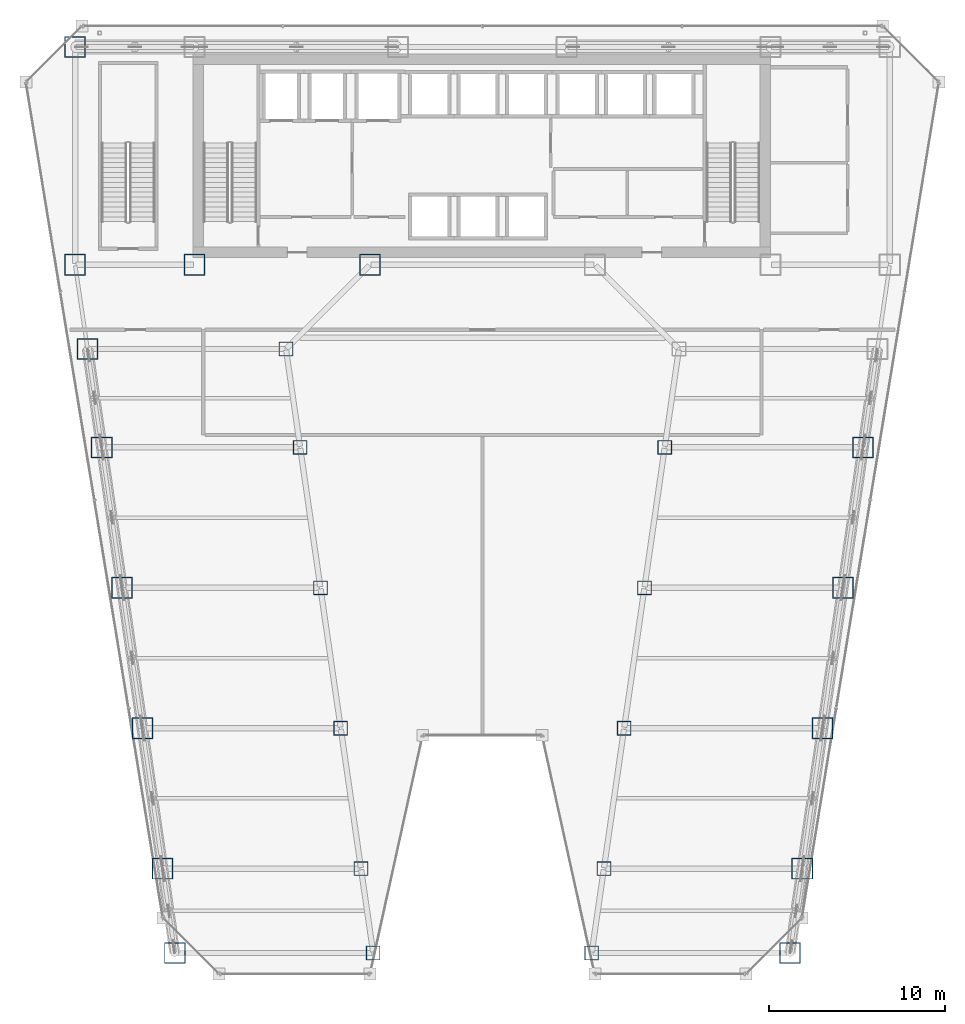
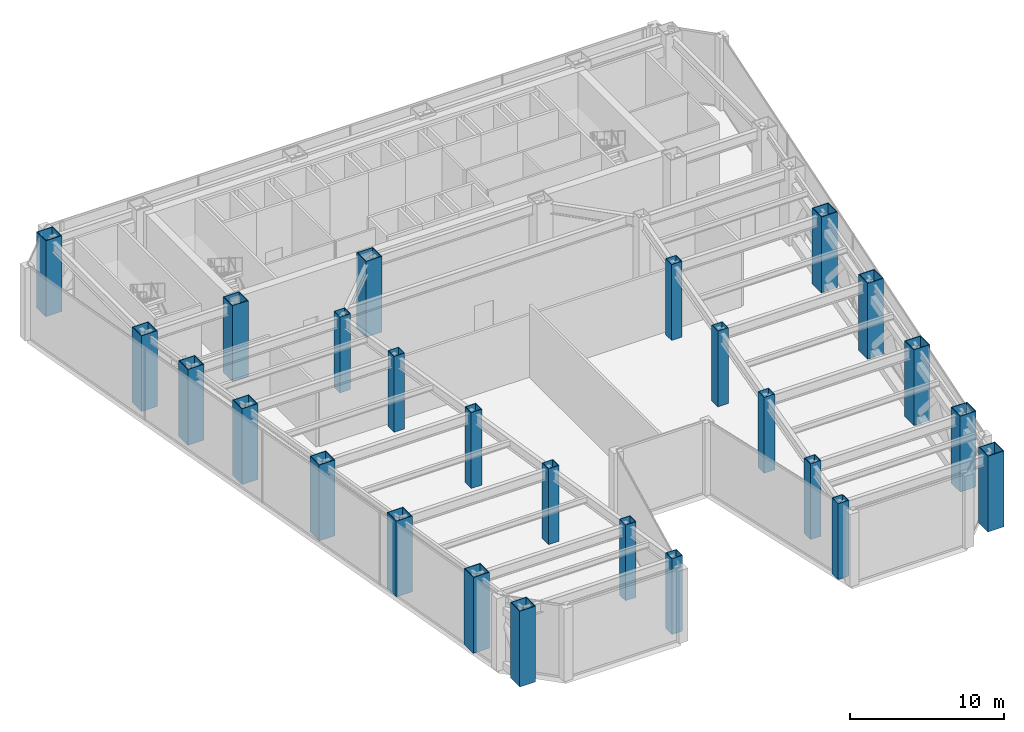
# One storey, part 1 of 35: 26 columns.
"""IFC4 building model written with IfcOpenShell, lengths in metres."""

from ifc_helpers import new_model, si_unit, direction, frame, origin, origin_2d, place, context, subcontext, project, spatial, hollow_rectangle, extrude, material, material_profile, profile_set, type_object, element, save


model = new_model("IFC4")

# Units and contexts
model_context = context("Model", 3, precision=1e-05, world=origin(), true_north=direction((0.0, 1.0)))
body_context = subcontext(model_context, "Body", "Model", "MODEL_VIEW")
ifc_project = project(units=[si_unit("LENGTHUNIT", "METRE"), si_unit("AREAUNIT", "SQUARE_METRE"), si_unit("VOLUMEUNIT", "CUBIC_METRE"), si_unit("PLANEANGLEUNIT", "RADIAN"), si_unit("MASSUNIT", "GRAM", prefix="KILO")], contexts=[model_context])

# Site, building, storey
site_placement = place(None, origin())
site = spatial("IfcSite", under=ifc_project, at=site_placement, CompositionType="ELEMENT")
building_placement = place(site_placement, origin())
building = spatial("IfcBuilding", under=site, at=building_placement, Name="Saevonmaru Cultural Tower", CompositionType="ELEMENT")
storey_placement = place(building_placement, frame((0.0, 0.0, 86.800048828125)))
storey = spatial("IfcBuildingStorey", under=building, at=storey_placement, Name="L18", CompositionType="ELEMENT", Elevation=86.800048828125)

# Columns
ifc_material_1 = material(Name="Steel HSA600 (600 MPa)", Category="steel")
ifc_material_profile_1 = material_profile(ifc_material_1, hollow_rectangle(XDim=1.199951171875, YDim=1.199951171875, WallThickness=0.054931640625, at=origin_2d()), Name="BOX-1200x1200x55")
ifc_profile_set_1 = profile_set([ifc_material_profile_1], Name="Steel HSA600 (600 MPa)")
column_type_1 = type_object("IfcColumnType", Name="COL-BOX-1200", PredefinedType="COLUMN", material=ifc_profile_set_1)
for number, where, z_axis, x_axis, name in (
    (1, (6.800048828125, 54.800048828125, 0.0), (0.0, 0.0, 1.0), (1.0, 0.0, 0.0), "L18 Column TC-N1N"),
    (2, (6.800048828125, 42.39990234375, 0.0), (0.0, 0.0, 1.0), (1.0, 0.0, 0.0), "L18 Column TC-S1C"),
    (3, (13.60009765625, 42.39990234375, 0.0), (0.0, 0.0, 1.0), (1.0, 0.0, 0.0), "L18 Column TC-S2C"),
    (4, (23.60009765625, 42.39990234375, 0.0), (0.0, 0.0, 1.0), (1.0, 0.0, 0.0), "L18 Column TC-S3C"),
    (5, (12.47705078125, 3.199951171875, 0.0), (0.0, 0.0, 1.0), (1.0, 0.0, 0.0), "L18 Column TC-WO-Y032"),
    (6, (47.52294921875, 3.199951171875, 0.0), (0.0, 0.0, 1.0), (1.0, 0.0, 0.0), "L18 Column TC-EO-Y032"),
    (7, (11.782958984375, 8.0, 0.0), (0.0, 0.0, 1.0), (1.0, 0.0, 0.0), "L18 Column TC-WO-Y080"),
    (8, (48.217041015625, 8.0, 0.0), (0.0, 0.0, 1.0), (1.0, 0.0, 0.0), "L18 Column TC-EO-Y080"),
    (9, (10.6279296875, 16.0, 0.0), (0.0, 0.0, 1.0), (1.0, 0.0, 0.0), "L18 Column TC-WO-Y160"),
    (10, (49.3720703125, 16.0, 0.0), (0.0, 0.0, 1.0), (1.0, 0.0, 0.0), "L18 Column TC-EO-Y160"),
    (11, (9.471923828125, 24.0, 0.0), (0.0, 0.0, 1.0), (1.0, 0.0, 0.0), "L18 Column TC-WO-Y240"),
    (12, (50.528076171875, 24.0, 0.0), (0.0, 0.0, 1.0), (1.0, 0.0, 0.0), "L18 Column TC-EO-Y240"),
    (13, (8.31689453125, 32.0, 0.0), (0.0, 0.0, 1.0), (1.0, 0.0, 0.0), "L18 Column TC-WO-Y320"),
    (14, (51.68310546875, 32.0, 0.0), (0.0, 0.0, 1.0), (1.0, 0.0, 0.0), "L18 Column TC-EO-Y320"),
    (15, (7.508056640625, 37.60009765625, 0.0), (0.0, 0.0, 1.0), (1.0, 0.0, 0.0), "L18 Column TC-WO-Y376"),
):
    element("IfcColumn", number, at=place(storey_placement, frame(where, z_axis=z_axis, x_axis=x_axis)), inside=storey, type_object=column_type_1, Name=name, PredefinedType="COLUMN", context=body_context, shape_type="SweptSolid", body=[
        extrude(hollow_rectangle(XDim=1.199951171875, YDim=1.199951171875, WallThickness=0.054931640625, at=origin_2d()), origin(), (0.0, 0.0, 1.0), 6.0),
    ])
ifc_material_2 = material(Name="Steel SM420", Category="steel")
ifc_material_profile_2 = material_profile(ifc_material_2, hollow_rectangle(XDim=0.800048828125, YDim=0.800048828125, WallThickness=0.035888671875, at=origin_2d()), Name="BOX-800x800x36")
ifc_profile_set_2 = profile_set([ifc_material_profile_2], Name="Steel SM420")
column_type_2 = type_object("IfcColumnType", Name="COL-BOX-800", PredefinedType="COLUMN", material=ifc_profile_set_2)
for number, where, z_axis, x_axis, name in (
    (16, (23.777099609375, 3.199951171875, 0.0), (0.0, 0.0, 1.0), (1.0, 0.0, 0.0), "L18 Column TC-WI-Y032"),
    (17, (36.222900390625, 3.199951171875, 0.0), (0.0, 0.0, 1.0), (1.0, 0.0, 0.0), "L18 Column TC-EI-Y032"),
    (18, (23.0830078125, 8.0, 0.0), (0.0, 0.0, 1.0), (1.0, 0.0, 0.0), "L18 Column TC-WI-Y080"),
    (19, (36.9169921875, 8.0, 0.0), (0.0, 0.0, 1.0), (1.0, 0.0, 0.0), "L18 Column TC-EI-Y080"),
    (20, (21.927978515625, 16.0, 0.0), (0.0, 0.0, 1.0), (1.0, 0.0, 0.0), "L18 Column TC-WI-Y160"),
    (21, (38.072021484375, 16.0, 0.0), (0.0, 0.0, 1.0), (1.0, 0.0, 0.0), "L18 Column TC-EI-Y160"),
    (22, (20.77197265625, 24.0, 0.0), (0.0, 0.0, 1.0), (1.0, 0.0, 0.0), "L18 Column TC-WI-Y240"),
    (23, (39.22802734375, 24.0, 0.0), (0.0, 0.0, 1.0), (1.0, 0.0, 0.0), "L18 Column TC-EI-Y240"),
    (24, (19.616943359375, 32.0, 0.0), (0.0, 0.0, 1.0), (1.0, 0.0, 0.0), "L18 Column TC-WI-Y320"),
    (25, (40.383056640625, 32.0, 0.0), (0.0, 0.0, 1.0), (1.0, 0.0, 0.0), "L18 Column TC-EI-Y320"),
    (26, (18.80810546875, 37.60009765625, 0.0), (0.0, 0.0, 1.0), (1.0, 0.0, 0.0), "L18 Column TC-WI-Y376"),
):
    element("IfcColumn", number, at=place(storey_placement, frame(where, z_axis=z_axis, x_axis=x_axis)), inside=storey, type_object=column_type_2, Name=name, PredefinedType="COLUMN", context=body_context, shape_type="SweptSolid", body=[
        extrude(hollow_rectangle(XDim=0.800048828125, YDim=0.800048828125, WallThickness=0.035888671875, at=origin_2d()), origin(), (0.0, 0.0, 1.0), 6.0),
    ])

save(model, "model.ifc")
